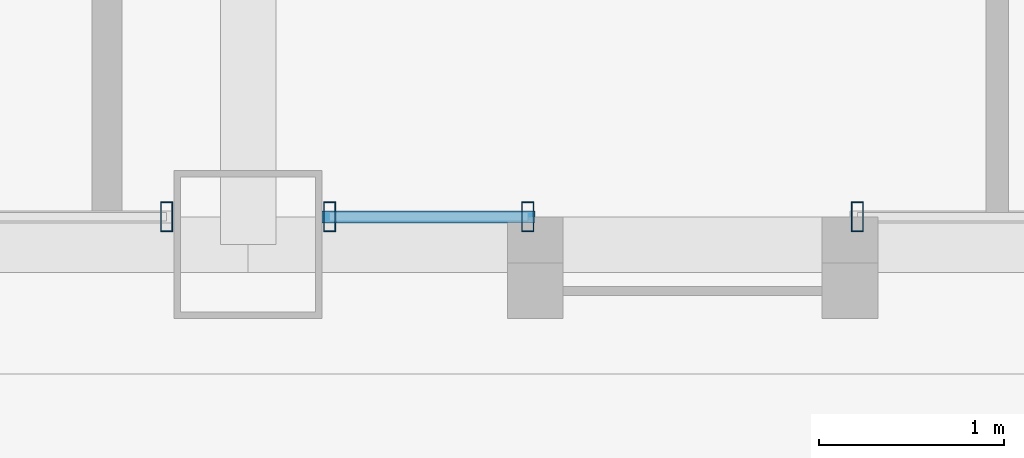
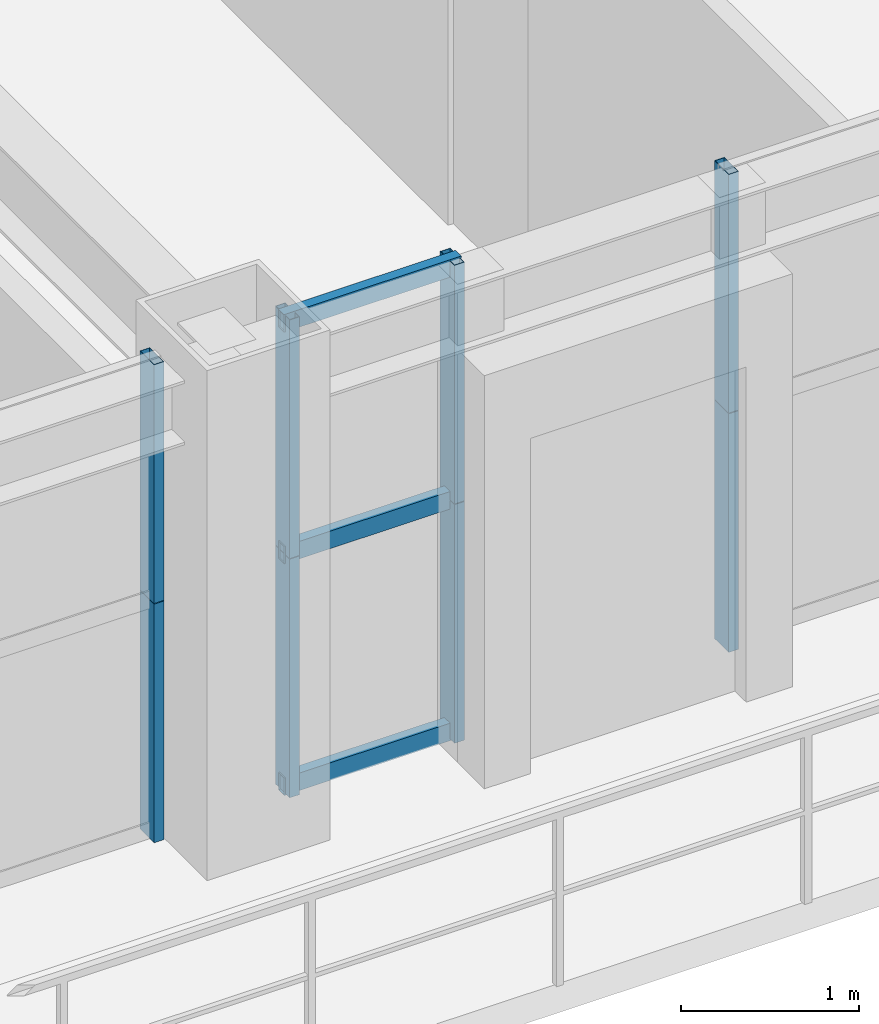
# One storey, part 10 of 45: 11 members, 3 elements without a shape of their own.
"""IFC4 building model written with IfcOpenShell, lengths in metres."""

from ifc_helpers import new_model, si_unit, direction, frame, origin, origin_2d, place, context, subcontext, project, spatial, hollow_rectangle, extrude, source, transform, mapped, material, layer, layer_set, material_profile, profile_set, type_object, element, aggregate, save


model = new_model("IFC4")

# Units and contexts
model_context = context("Model", 3, precision=1e-05, world=origin(), true_north=direction((0.0, 1.0)))
body_context = subcontext(model_context, "Body", "Model", "MODEL_VIEW")
ifc_project = project(units=[si_unit("LENGTHUNIT", "METRE"), si_unit("AREAUNIT", "SQUARE_METRE"), si_unit("VOLUMEUNIT", "CUBIC_METRE"), si_unit("PLANEANGLEUNIT", "RADIAN"), si_unit("MASSUNIT", "GRAM", prefix="KILO"), si_unit("THERMODYNAMICTEMPERATUREUNIT", "KELVIN"), si_unit("POWERUNIT", "WATT")], contexts=[model_context])

# Site, building, storey
site_placement = place(None, origin())
site = spatial("IfcSite", under=ifc_project, at=site_placement, CompositionType="ELEMENT")
building_placement = place(site_placement, origin())
building = spatial("IfcBuilding", under=site, at=building_placement, Name="Yuzanri Waterfront Tower", CompositionType="ELEMENT")
storey_placement = place(building_placement, frame((0.0, 0.0, 191.5)))
storey = spatial("IfcBuildingStorey", under=building, at=storey_placement, Name="L50", CompositionType="ELEMENT", Elevation=191.5)

# Curtain wall, members
ifc_material_1 = material(Name="Anodized Architectural Bronze", Category="metal")
ifc_layer = layer(ifc_material_1, 0.159912109375)
ifc_layer_set = layer_set([ifc_layer], Name="Anodized Architectural Bronze")
curtain_wall_type = type_object("IfcCurtainWallType", Name="Anodized Bronze Mid-Rise Residential Acoustic Unitized Curtain Wall 7200", PredefinedType="NOTDEFINED", material=ifc_layer_set)
curtain_wall_1_placement = place(storey_placement, origin())
curtain_wall_1 = element("IfcCurtainWall", 1, at=curtain_wall_1_placement, inside=storey, type_object=curtain_wall_type, Name="L50 Curtain Wall CW-L50-SL", PredefinedType="NOTDEFINED")
ifc_material_2 = material(Name="Anodized Architectural Bronze", Category="metal")
ifc_material_profile_1 = material_profile(ifc_material_2, hollow_rectangle(XDim=0.06494140625, YDim=0.159912109375, WallThickness=0.00341796875, at=origin_2d()), Name="CWM 65x160")
ifc_profile_set_1 = profile_set([ifc_material_profile_1], Name="Anodized Architectural Bronze")
member_type_1 = type_object("IfcMemberType", Name="Anodized Bronze Upper-Zone Curtain-Wall Mullion 65x160", PredefinedType="MULLION", material=ifc_profile_set_1)
shared_shape_1 = source(origin(), body_context, "Body", "SweptSolid", [
    extrude(hollow_rectangle(XDim=0.06494140625, YDim=0.159912109375, WallThickness=0.00341796875, at=origin_2d()), origin(), (0.0, 0.0, 1.0), 1.637939453125),
])
member_1_placement = place(storey_placement, frame((36.56005859375, 3.85009765625, 0.0), z_axis=(0.0, 0.0, 1.0), x_axis=(1.0, 0.0, 0.0)))
member_1 = element("IfcMember", 2, at=member_1_placement, type_object=member_type_1, Name="CW-L50-SL Lower Mullion 02", PredefinedType="MULLION", context=body_context, shape_type="MappedRepresentation", body=[
    mapped(shared_shape_1, transform((0.0, 0.0, 0.0), scale=1.0)),
])
member_2_placement = place(storey_placement, frame((36.56005859375, 3.85009765625, 1.64208984375), z_axis=(0.0, 0.0, 1.0), x_axis=(1.0, 0.0, 0.0)))
member_2 = element("IfcMember", 3, at=member_2_placement, type_object=member_type_1, Name="CW-L50-SL Upper Mullion 02", PredefinedType="MULLION", context=body_context, shape_type="MappedRepresentation", body=[
    mapped(shared_shape_1, transform((0.0, 0.0, 0.0), scale=1.0)),
])
aggregate(curtain_wall_1, [member_1, member_2])

curtain_wall_2_placement = place(storey_placement, origin())
curtain_wall_2 = element("IfcCurtainWall", 4, at=curtain_wall_2_placement, inside=storey, type_object=curtain_wall_type, Name="L50 Curtain Wall CW-L50-SR1", PredefinedType="NOTDEFINED")
member_3_placement = place(storey_placement, frame((37.43994140625, 3.85009765625, 0.0), z_axis=(0.0, 0.0, 1.0), x_axis=(1.0, 0.0, 0.0)))
member_3 = element("IfcMember", 5, at=member_3_placement, type_object=member_type_1, Name="CW-L50-SR1 Lower Mullion 00", PredefinedType="MULLION", context=body_context, shape_type="MappedRepresentation", body=[
    mapped(shared_shape_1, transform((0.0, 0.0, 0.0), scale=1.0)),
])
member_4_placement = place(storey_placement, frame((37.43994140625, 3.85009765625, 1.64208984375), z_axis=(0.0, 0.0, 1.0), x_axis=(1.0, 0.0, 0.0)))
member_4 = element("IfcMember", 6, at=member_4_placement, type_object=member_type_1, Name="CW-L50-SR1 Upper Mullion 00", PredefinedType="MULLION", context=body_context, shape_type="MappedRepresentation", body=[
    mapped(shared_shape_1, transform((0.0, 0.0, 0.0), scale=1.0)),
])
member_5_placement = place(storey_placement, frame((38.510009765625, 3.85009765625, 0.0), z_axis=(0.0, 0.0, 1.0), x_axis=(1.0, 0.0, 0.0)))
member_5 = element("IfcMember", 7, at=member_5_placement, type_object=member_type_1, Name="CW-L50-SR1 Lower Mullion 01", PredefinedType="MULLION", context=body_context, shape_type="MappedRepresentation", body=[
    mapped(shared_shape_1, transform((0.0, 0.0, 0.0), scale=1.0)),
])
member_6_placement = place(storey_placement, frame((38.510009765625, 3.85009765625, 1.64208984375), z_axis=(0.0, 0.0, 1.0), x_axis=(1.0, 0.0, 0.0)))
member_6 = element("IfcMember", 8, at=member_6_placement, type_object=member_type_1, Name="CW-L50-SR1 Upper Mullion 01", PredefinedType="MULLION", context=body_context, shape_type="MappedRepresentation", body=[
    mapped(shared_shape_1, transform((0.0, 0.0, 0.0), scale=1.0)),
])

curtain_wall_3_placement = place(storey_placement, origin())
curtain_wall_3 = element("IfcCurtainWall", 9, at=curtain_wall_3_placement, inside=storey, type_object=curtain_wall_type, Name="L50 Curtain Wall CW-L50-SR2", PredefinedType="NOTDEFINED")
member_7_placement = place(storey_placement, frame((40.2900390625, 3.85009765625, 0.0), z_axis=(0.0, 0.0, 1.0), x_axis=(1.0, 0.0, 0.0)))
member_7 = element("IfcMember", 10, at=member_7_placement, type_object=member_type_1, Name="CW-L50-SR2 Lower Mullion 00", PredefinedType="MULLION", context=body_context, shape_type="MappedRepresentation", body=[
    mapped(shared_shape_1, transform((0.0, 0.0, 0.0), scale=1.0)),
])
member_8_placement = place(storey_placement, frame((40.2900390625, 3.85009765625, 1.64208984375), z_axis=(0.0, 0.0, 1.0), x_axis=(1.0, 0.0, 0.0)))
member_8 = element("IfcMember", 11, at=member_8_placement, type_object=member_type_1, Name="CW-L50-SR2 Upper Mullion 00", PredefinedType="MULLION", context=body_context, shape_type="MappedRepresentation", body=[
    mapped(shared_shape_1, transform((0.0, 0.0, 0.0), scale=1.0)),
])
aggregate(curtain_wall_3, [member_7, member_8])

# Member
ifc_material_3 = material(Name="Anodized Architectural Bronze", Category="metal")
ifc_material_profile_2 = material_profile(ifc_material_3, hollow_rectangle(XDim=0.06494140625, YDim=0.1201171875, WallThickness=0.00341796875, at=origin_2d()), Name="CWT 65x120")
ifc_profile_set_2 = profile_set([ifc_material_profile_2], Name="Anodized Architectural Bronze")
member_type_2 = type_object("IfcMemberType", Name="Anodized Bronze Secondary Curtain-Wall Transom 65x120", PredefinedType="USERDEFINED", material=ifc_profile_set_2)
shared_shape_2 = source(origin(), body_context, "Body", "SweptSolid", [
    extrude(hollow_rectangle(XDim=0.06494140625, YDim=0.1201171875, WallThickness=0.00341796875, at=origin_2d()), origin(), (0.0, 0.0, 1.0), 1.150146484375),
])
member_9_placement = place(storey_placement, frame((37.39990234375, 3.85009765625, 0.050048828125), z_axis=(1.0, 0.0, 0.0), x_axis=(0.0, 1.0, 0.0)))
member_9 = element("IfcMember", 12, at=member_9_placement, type_object=member_type_2, Name="CW-L50-SR1 Transom 1", ObjectType="TRANSOM", PredefinedType="USERDEFINED", context=body_context, shape_type="MappedRepresentation", body=[
    mapped(shared_shape_2, transform((0.0, 0.0, 0.0), scale=1.0)),
])

member_10_placement = place(storey_placement, frame((37.39990234375, 3.85009765625, 1.639892578125), z_axis=(1.0, 0.0, 0.0), x_axis=(0.0, 1.0, 0.0)))
member_10 = element("IfcMember", 13, at=member_10_placement, type_object=member_type_2, Name="CW-L50-SR1 Transom 2", ObjectType="TRANSOM", PredefinedType="USERDEFINED", context=body_context, shape_type="MappedRepresentation", body=[
    mapped(shared_shape_2, transform((0.0, 0.0, 0.0), scale=1.0)),
])

member_11_placement = place(storey_placement, frame((37.39990234375, 3.85009765625, 3.22998046875), z_axis=(1.0, 0.0, 0.0), x_axis=(0.0, 1.0, 0.0)))
member_11 = element("IfcMember", 14, at=member_11_placement, type_object=member_type_2, Name="CW-L50-SR1 Transom 3", ObjectType="TRANSOM", PredefinedType="USERDEFINED", context=body_context, shape_type="MappedRepresentation", body=[
    mapped(shared_shape_2, transform((0.0, 0.0, 0.0), scale=1.0)),
])

aggregate(curtain_wall_2, [member_3, member_4, member_5, member_6, member_9, member_10, member_11])

save(model, "model.ifc")
